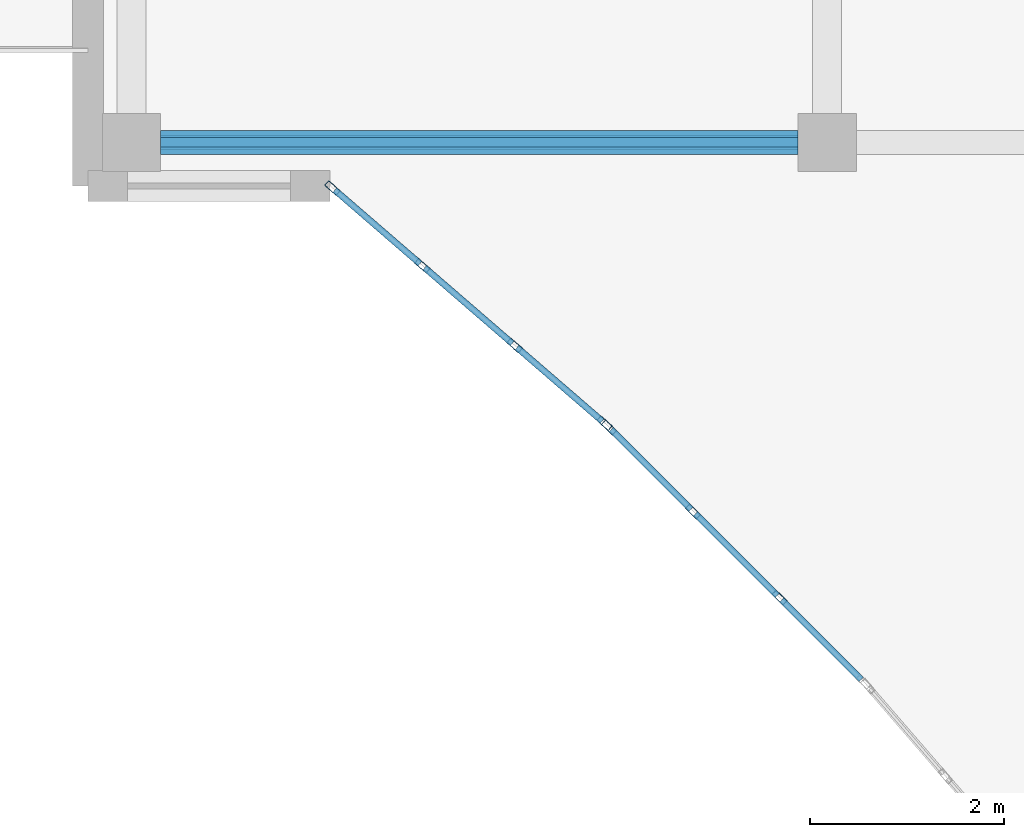
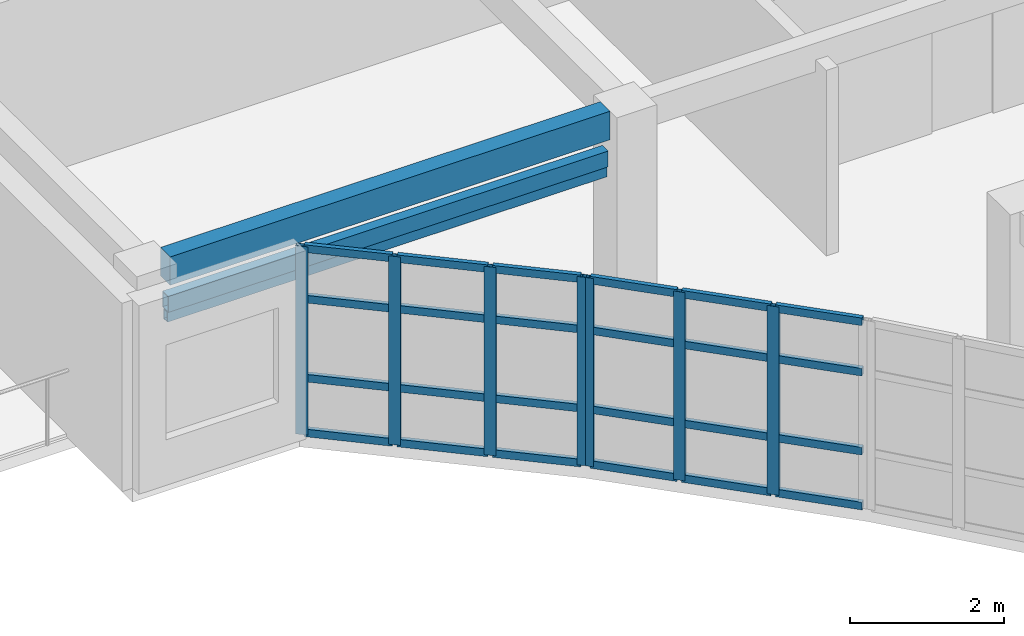
# One storey, part 9 of 71: 33 members, 1 beam, 2 elements without a shape of their own.
"""IFC4 building model written with IfcOpenShell, lengths in metres."""

from ifc_helpers import new_model, si_unit, direction, frame, origin, origin_2d, place, context, subcontext, project, spatial, rectangle, hollow_rectangle, extrude, material, layer, layer_set, material_profile, profile_set, type_object, element, aggregate, save


model = new_model("IFC4")

# Units and contexts
model_context = context("Model", 3, precision=1e-05, world=origin(), true_north=direction((0.0, 1.0)))
body_context = subcontext(model_context, "Body", "Model", "MODEL_VIEW")
ifc_project = project(units=[si_unit("LENGTHUNIT", "METRE"), si_unit("AREAUNIT", "SQUARE_METRE"), si_unit("VOLUMEUNIT", "CUBIC_METRE"), si_unit("PLANEANGLEUNIT", "RADIAN"), si_unit("MASSUNIT", "GRAM", prefix="KILO")], contexts=[model_context])

# Site, building, storey
site_placement = place(None, origin())
site = spatial("IfcSite", under=ifc_project, at=site_placement, CompositionType="ELEMENT")
building_placement = place(site_placement, origin())
building = spatial("IfcBuilding", under=site, at=building_placement, Name="Keldmere Railside Commons", CompositionType="ELEMENT")
storey_placement = place(building_placement, frame((0.0, 0.0, 20.159912109375)))
storey = spatial("IfcBuildingStorey", under=building, at=storey_placement, Name="L06", CompositionType="ELEMENT", Elevation=20.159912109375)

# Member
ifc_material_1 = material(Name="Steel F-36 (S355)", Category="steel")
ifc_material_profile_1 = material_profile(ifc_material_1, hollow_rectangle(XDim=0.14990234375, YDim=0.25, WallThickness=0.010009765625, at=origin_2d()), Name="RHS-250x150x10")
ifc_profile_set_1 = profile_set([ifc_material_profile_1], Name="Steel F-36 (S355)")
member_type_1 = type_object("IfcMemberType", Name="Balcony Continuous Planted Trough RHS250x150", PredefinedType="CHORD", material=ifc_profile_set_1)
member_1_placement = place(storey_placement, frame((94.25, 100.449951171875, 2.4150390625), z_axis=(1.0, 0.0, 0.0), x_axis=(0.0, 1.0, 0.0)))
element("IfcMember", 1, at=member_1_placement, inside=storey, type_object=member_type_1, Name="PLT-1 MEM-BPLT-0735", PredefinedType="CHORD", context=body_context, shape_type="SweptSolid", body=[
    extrude(hollow_rectangle(XDim=0.14990234375, YDim=0.25, WallThickness=0.010009765625, at=origin_2d()), origin(), (0.0, 0.0, 1.0), 6.5830078125),
])

# Beam
ifc_material_2 = material(Name="Architectural Precast Concrete H-35 (C35/45)", Category="concrete")
ifc_material_profile_2 = material_profile(ifc_material_2, rectangle(XDim=0.25, YDim=0.449951171875, at=origin_2d()), Name="RC-250x450")
ifc_profile_set_2 = profile_set([ifc_material_profile_2], Name="Architectural Precast Concrete H-35 (C35/45)")
beam_type = type_object("IfcBeamType", Name="Perimeter Precast Spandrel Beam 250x450", PredefinedType="SPANDREL", material=ifc_profile_set_2)
beam_placement = place(storey_placement, frame((94.25, 100.449951171875, 2.97509765625), z_axis=(1.0, 0.0, 0.0), x_axis=(0.0, 1.0, 0.0)))
element("IfcBeam", 2, at=beam_placement, inside=storey, type_object=beam_type, Name="SPB-1 BM-L06-1901", PredefinedType="SPANDREL", context=body_context, shape_type="SweptSolid", body=[
    extrude(rectangle(XDim=0.25, YDim=0.449951171875, at=origin_2d()), origin(), (0.0, 0.0, 1.0), 6.5830078125),
])

# Member
ifc_material_profile_3 = material_profile(ifc_material_1, hollow_rectangle(XDim=0.10009765625, YDim=0.159912109375, WallThickness=0.008056640625, at=origin_2d()), Name="RHS-160x100x8")
ifc_profile_set_3 = profile_set([ifc_material_profile_3], Name="Steel F-36 (S355)")
member_type_2 = type_object("IfcMemberType", Name="Solar Brise-Soleil Louvre Fin RHS160x100", PredefinedType="STRUT", material=ifc_profile_set_3)
member_2_placement = place(storey_placement, frame((94.25, 100.449951171875, 2.2001953125), z_axis=(1.0, 0.0, 0.0), x_axis=(0.0, 1.0, 0.0)))
element("IfcMember", 3, at=member_2_placement, inside=storey, type_object=member_type_2, Name="BSF-1 MEM-BSF-0736", PredefinedType="STRUT", context=body_context, shape_type="SweptSolid", body=[
    extrude(hollow_rectangle(XDim=0.10009765625, YDim=0.159912109375, WallThickness=0.008056640625, at=origin_2d()), origin(), (0.0, 0.0, 1.0), 6.5830078125),
])

# Curtain wall, members
ifc_material_3 = material(Name="Thermally Broken Aluminium", Category="aluminium")
ifc_layer_1 = layer(ifc_material_3, 0.159912109375, Name="Court Chord Wintergarden CW 4800x2850")
ifc_layer_set_1 = layer_set([ifc_layer_1], Name="Thermally Broken Aluminium")
curtain_wall_type_1 = type_object("IfcCurtainWallType", Name="Court Chord Wintergarden CW 4800x2850", PredefinedType="NOTDEFINED", material=ifc_layer_set_1)
curtain_wall_1_placement = place(storey_placement, origin())
curtain_wall_1 = element("IfcCurtainWall", 4, at=curtain_wall_1_placement, inside=storey, type_object=curtain_wall_type_1, Name="CW-12 CW-L06-124", PredefinedType="NOTDEFINED")
ifc_material_profile_4 = material_profile(ifc_material_3, hollow_rectangle(XDim=0.06494140625, YDim=0.159912109375, WallThickness=0.00390625, at=origin_2d()), Name="ALU-MULL-65x160")
ifc_profile_set_4 = profile_set([ifc_material_profile_4], Name="Thermally Broken Aluminium")
member_type_3 = type_object("IfcMemberType", Name="Unitised Curtain Wall Mullion 65x160", PredefinedType="MULLION", material=ifc_profile_set_4)
member_3_placement = place(storey_placement, frame((98.83349609375, 97.55126953125, 0.0), z_axis=(0.0, 0.0, 1.0), x_axis=(-0.653881741053, -0.756596767584, 0.0)))
member_3 = element("IfcMember", 5, at=member_3_placement, type_object=member_type_3, Name="CW-12 mullion 1", PredefinedType="MULLION", context=body_context, shape_type="SweptSolid", body=[
    extrude(hollow_rectangle(XDim=0.06494140625, YDim=0.159912109375, WallThickness=0.00390625, at=origin_2d()), origin(), (0.0, 0.0, 1.0), 2.97998046875),
])
member_4_placement = place(storey_placement, frame((97.9052734375, 98.353271484375, 0.0), z_axis=(0.0, 0.0, 1.0), x_axis=(-0.653881741053, -0.756596767584, 0.0)))
member_4 = element("IfcMember", 6, at=member_4_placement, type_object=member_type_3, Name="CW-12 mullion 2", PredefinedType="MULLION", context=body_context, shape_type="SweptSolid", body=[
    extrude(hollow_rectangle(XDim=0.06494140625, YDim=0.159912109375, WallThickness=0.00390625, at=origin_2d()), origin(), (0.0, 0.0, 1.0), 2.97998046875),
])
member_5_placement = place(storey_placement, frame((96.95263671875, 99.1767578125, 0.0), z_axis=(0.0, 0.0, 1.0), x_axis=(-0.653881741053, -0.756596767584, 0.0)))
member_5 = element("IfcMember", 7, at=member_5_placement, type_object=member_type_3, Name="CW-12 mullion 3", PredefinedType="MULLION", context=body_context, shape_type="SweptSolid", body=[
    extrude(hollow_rectangle(XDim=0.06494140625, YDim=0.159912109375, WallThickness=0.00390625, at=origin_2d()), origin(), (0.0, 0.0, 1.0), 2.97998046875),
])
member_6_placement = place(storey_placement, frame((96.024658203125, 99.978759765625, 0.0), z_axis=(0.0, 0.0, 1.0), x_axis=(-0.653881741053, -0.756596767584, 0.0)))
member_6 = element("IfcMember", 8, at=member_6_placement, type_object=member_type_3, Name="CW-12 mullion 4", PredefinedType="MULLION", context=body_context, shape_type="SweptSolid", body=[
    extrude(hollow_rectangle(XDim=0.06494140625, YDim=0.159912109375, WallThickness=0.00390625, at=origin_2d()), origin(), (0.0, 0.0, 1.0), 2.97998046875),
])

ifc_layer_2 = layer(ifc_material_3, 0.159912109375, Name="Court Chord Wintergarden CW 5400x2850")
ifc_layer_set_2 = layer_set([ifc_layer_2], Name="Thermally Broken Aluminium")
curtain_wall_type_2 = type_object("IfcCurtainWallType", Name="Court Chord Wintergarden CW 5400x2850", PredefinedType="NOTDEFINED", material=ifc_layer_set_2)
curtain_wall_2_placement = place(storey_placement, origin())
curtain_wall_2 = element("IfcCurtainWall", 9, at=curtain_wall_2_placement, inside=storey, type_object=curtain_wall_type_2, Name="CW-13 CW-L06-125", PredefinedType="NOTDEFINED")
member_7_placement = place(storey_placement, frame((100.639404296875, 95.748779296875, 0.0), z_axis=(0.0, 0.0, 1.0), x_axis=(-0.707106781187, -0.707106781187, 0.0)))
member_7 = element("IfcMember", 10, at=member_7_placement, type_object=member_type_3, Name="CW-13 mullion 2", PredefinedType="MULLION", context=body_context, shape_type="SweptSolid", body=[
    extrude(hollow_rectangle(XDim=0.06494140625, YDim=0.159912109375, WallThickness=0.00390625, at=origin_2d()), origin(), (0.0, 0.0, 1.0), 2.97998046875),
])
member_8_placement = place(storey_placement, frame((99.748779296875, 96.639404296875, 0.0), z_axis=(0.0, 0.0, 1.0), x_axis=(-0.707106781187, -0.707106781187, 0.0)))
member_8 = element("IfcMember", 11, at=member_8_placement, type_object=member_type_3, Name="CW-13 mullion 3", PredefinedType="MULLION", context=body_context, shape_type="SweptSolid", body=[
    extrude(hollow_rectangle(XDim=0.06494140625, YDim=0.159912109375, WallThickness=0.00390625, at=origin_2d()), origin(), (0.0, 0.0, 1.0), 2.97998046875),
])
member_9_placement = place(storey_placement, frame((98.880859375, 97.507080078125, 0.0), z_axis=(0.0, 0.0, 1.0), x_axis=(-0.707106781187, -0.707106781187, 0.0)))
member_9 = element("IfcMember", 12, at=member_9_placement, type_object=member_type_3, Name="CW-13 mullion 4", PredefinedType="MULLION", context=body_context, shape_type="SweptSolid", body=[
    extrude(hollow_rectangle(XDim=0.06494140625, YDim=0.159912109375, WallThickness=0.00390625, at=origin_2d()), origin(), (0.0, 0.0, 1.0), 2.97998046875),
])

# Member
ifc_material_profile_5 = material_profile(ifc_material_3, hollow_rectangle(XDim=0.06494140625, YDim=0.1201171875, WallThickness=0.00390625, at=origin_2d()), Name="ALU-TRAN-65x120")
ifc_profile_set_5 = profile_set([ifc_material_profile_5], Name="Thermally Broken Aluminium")
member_type_4 = type_object("IfcMemberType", Name="Unitised Curtain Wall Transom 65x120", PredefinedType="USERDEFINED", material=ifc_profile_set_5)
member_10_placement = place(storey_placement, frame((98.808837890625, 97.572509765625, 0.032470703125), z_axis=(-0.756624489527, 0.653849663033, 0.0), x_axis=(-0.653849663033, -0.756624489527, 0.0)))
member_10 = element("IfcMember", 13, at=member_10_placement, type_object=member_type_4, Name="CW-12 transom 1.1", ObjectType="TRANSOM", PredefinedType="USERDEFINED", context=body_context, shape_type="SweptSolid", body=[
    extrude(hollow_rectangle(XDim=0.06494140625, YDim=0.1201171875, WallThickness=0.00390625, at=origin_2d()), origin(), (0.0, 0.0, 1.0), 1.16162109375),
])

member_11_placement = place(storey_placement, frame((98.808837890625, 97.572509765625, 0.900146484375), z_axis=(-0.756624489527, 0.653849663033, 0.0), x_axis=(-0.653849663033, -0.756624489527, 0.0)))
member_11 = element("IfcMember", 14, at=member_11_placement, type_object=member_type_4, Name="CW-12 transom 1.2", ObjectType="TRANSOM", PredefinedType="USERDEFINED", context=body_context, shape_type="SweptSolid", body=[
    extrude(hollow_rectangle(XDim=0.06494140625, YDim=0.1201171875, WallThickness=0.00390625, at=origin_2d()), origin(), (0.0, 0.0, 1.0), 1.16162109375),
])

member_12_placement = place(storey_placement, frame((98.808837890625, 97.572509765625, 2.150146484375), z_axis=(-0.756624489527, 0.653849663033, 0.0), x_axis=(-0.653849663033, -0.756624489527, 0.0)))
member_12 = element("IfcMember", 15, at=member_12_placement, type_object=member_type_4, Name="CW-12 transom 1.3", ObjectType="TRANSOM", PredefinedType="USERDEFINED", context=body_context, shape_type="SweptSolid", body=[
    extrude(hollow_rectangle(XDim=0.06494140625, YDim=0.1201171875, WallThickness=0.00390625, at=origin_2d()), origin(), (0.0, 0.0, 1.0), 1.16162109375),
])

member_13_placement = place(storey_placement, frame((98.808837890625, 97.572509765625, 2.947509765625), z_axis=(-0.756624489527, 0.653849663033, 0.0), x_axis=(-0.653849663033, -0.756624489527, 0.0)))
member_13 = element("IfcMember", 16, at=member_13_placement, type_object=member_type_4, Name="CW-12 transom 1.4", ObjectType="TRANSOM", PredefinedType="USERDEFINED", context=body_context, shape_type="SweptSolid", body=[
    extrude(hollow_rectangle(XDim=0.06494140625, YDim=0.1201171875, WallThickness=0.00390625, at=origin_2d()), origin(), (0.0, 0.0, 1.0), 1.16162109375),
])

member_14_placement = place(storey_placement, frame((97.880859375, 98.37451171875, 0.032470703125), z_axis=(-0.756551755881, 0.653933819796, 0.0), x_axis=(-0.653933819796, -0.756551755881, 0.0)))
member_14 = element("IfcMember", 17, at=member_14_placement, type_object=member_type_4, Name="CW-12 transom 2.1", ObjectType="TRANSOM", PredefinedType="USERDEFINED", context=body_context, shape_type="SweptSolid", body=[
    extrude(hollow_rectangle(XDim=0.06494140625, YDim=0.1201171875, WallThickness=0.00390625, at=origin_2d()), origin(), (0.0, 0.0, 1.0), 1.1943359375),
])

member_15_placement = place(storey_placement, frame((97.880859375, 98.37451171875, 0.900146484375), z_axis=(-0.756551755881, 0.653933819796, 0.0), x_axis=(-0.653933819796, -0.756551755881, 0.0)))
member_15 = element("IfcMember", 18, at=member_15_placement, type_object=member_type_4, Name="CW-12 transom 2.2", ObjectType="TRANSOM", PredefinedType="USERDEFINED", context=body_context, shape_type="SweptSolid", body=[
    extrude(hollow_rectangle(XDim=0.06494140625, YDim=0.1201171875, WallThickness=0.00390625, at=origin_2d()), origin(), (0.0, 0.0, 1.0), 1.1943359375),
])

member_16_placement = place(storey_placement, frame((97.880859375, 98.37451171875, 2.150146484375), z_axis=(-0.756551755881, 0.653933819796, 0.0), x_axis=(-0.653933819796, -0.756551755881, 0.0)))
member_16 = element("IfcMember", 19, at=member_16_placement, type_object=member_type_4, Name="CW-12 transom 2.3", ObjectType="TRANSOM", PredefinedType="USERDEFINED", context=body_context, shape_type="SweptSolid", body=[
    extrude(hollow_rectangle(XDim=0.06494140625, YDim=0.1201171875, WallThickness=0.00390625, at=origin_2d()), origin(), (0.0, 0.0, 1.0), 1.1943359375),
])

member_17_placement = place(storey_placement, frame((97.880859375, 98.37451171875, 2.947509765625), z_axis=(-0.756551755881, 0.653933819796, 0.0), x_axis=(-0.653933819796, -0.756551755881, 0.0)))
member_17 = element("IfcMember", 20, at=member_17_placement, type_object=member_type_4, Name="CW-12 transom 2.4", ObjectType="TRANSOM", PredefinedType="USERDEFINED", context=body_context, shape_type="SweptSolid", body=[
    extrude(hollow_rectangle(XDim=0.06494140625, YDim=0.1201171875, WallThickness=0.00390625, at=origin_2d()), origin(), (0.0, 0.0, 1.0), 1.1943359375),
])

member_18_placement = place(storey_placement, frame((96.927978515625, 99.197998046875, 0.032470703125), z_axis=(-0.756624489527, 0.653849663033, 0.0), x_axis=(-0.653849663033, -0.756624489527, 0.0)))
member_18 = element("IfcMember", 21, at=member_18_placement, type_object=member_type_4, Name="CW-12 transom 3.1", ObjectType="TRANSOM", PredefinedType="USERDEFINED", context=body_context, shape_type="SweptSolid", body=[
    extrude(hollow_rectangle(XDim=0.06494140625, YDim=0.1201171875, WallThickness=0.00390625, at=origin_2d()), origin(), (0.0, 0.0, 1.0), 1.16162109375),
])

member_19_placement = place(storey_placement, frame((96.927978515625, 99.197998046875, 0.900146484375), z_axis=(-0.756624489527, 0.653849663033, 0.0), x_axis=(-0.653849663033, -0.756624489527, 0.0)))
member_19 = element("IfcMember", 22, at=member_19_placement, type_object=member_type_4, Name="CW-12 transom 3.2", ObjectType="TRANSOM", PredefinedType="USERDEFINED", context=body_context, shape_type="SweptSolid", body=[
    extrude(hollow_rectangle(XDim=0.06494140625, YDim=0.1201171875, WallThickness=0.00390625, at=origin_2d()), origin(), (0.0, 0.0, 1.0), 1.16162109375),
])

member_20_placement = place(storey_placement, frame((96.927978515625, 99.197998046875, 2.150146484375), z_axis=(-0.756624489527, 0.653849663033, 0.0), x_axis=(-0.653849663033, -0.756624489527, 0.0)))
member_20 = element("IfcMember", 23, at=member_20_placement, type_object=member_type_4, Name="CW-12 transom 3.3", ObjectType="TRANSOM", PredefinedType="USERDEFINED", context=body_context, shape_type="SweptSolid", body=[
    extrude(hollow_rectangle(XDim=0.06494140625, YDim=0.1201171875, WallThickness=0.00390625, at=origin_2d()), origin(), (0.0, 0.0, 1.0), 1.16162109375),
])

member_21_placement = place(storey_placement, frame((96.927978515625, 99.197998046875, 2.947509765625), z_axis=(-0.756624489527, 0.653849663033, 0.0), x_axis=(-0.653849663033, -0.756624489527, 0.0)))
member_21 = element("IfcMember", 24, at=member_21_placement, type_object=member_type_4, Name="CW-12 transom 3.4", ObjectType="TRANSOM", PredefinedType="USERDEFINED", context=body_context, shape_type="SweptSolid", body=[
    extrude(hollow_rectangle(XDim=0.06494140625, YDim=0.1201171875, WallThickness=0.00390625, at=origin_2d()), origin(), (0.0, 0.0, 1.0), 1.16162109375),
])

aggregate(curtain_wall_1, [member_3, member_4, member_5, member_6, member_10, member_11, member_12, member_13, member_14, member_15, member_16, member_17, member_18, member_19, member_20, member_21])

member_22_placement = place(storey_placement, frame((101.484130859375, 94.904052734375, 0.032470703125), z_axis=(-0.707211825645, 0.707001721121, 0.0), x_axis=(-0.707001721121, -0.707211825645, 0.0)))
member_22 = element("IfcMember", 25, at=member_22_placement, type_object=member_type_4, Name="CW-13 transom 1.1", ObjectType="TRANSOM", PredefinedType="USERDEFINED", context=body_context, shape_type="SweptSolid", body=[
    extrude(hollow_rectangle(XDim=0.06494140625, YDim=0.1201171875, WallThickness=0.00390625, at=origin_2d()), origin(), (0.0, 0.0, 1.0), 1.162109375),
])

member_23_placement = place(storey_placement, frame((101.484130859375, 94.904052734375, 0.900146484375), z_axis=(-0.707211825645, 0.707001721121, 0.0), x_axis=(-0.707001721121, -0.707211825645, 0.0)))
member_23 = element("IfcMember", 26, at=member_23_placement, type_object=member_type_4, Name="CW-13 transom 1.2", ObjectType="TRANSOM", PredefinedType="USERDEFINED", context=body_context, shape_type="SweptSolid", body=[
    extrude(hollow_rectangle(XDim=0.06494140625, YDim=0.1201171875, WallThickness=0.00390625, at=origin_2d()), origin(), (0.0, 0.0, 1.0), 1.162109375),
])

member_24_placement = place(storey_placement, frame((101.484130859375, 94.904052734375, 2.150146484375), z_axis=(-0.707211825645, 0.707001721121, 0.0), x_axis=(-0.707001721121, -0.707211825645, 0.0)))
member_24 = element("IfcMember", 27, at=member_24_placement, type_object=member_type_4, Name="CW-13 transom 1.3", ObjectType="TRANSOM", PredefinedType="USERDEFINED", context=body_context, shape_type="SweptSolid", body=[
    extrude(hollow_rectangle(XDim=0.06494140625, YDim=0.1201171875, WallThickness=0.00390625, at=origin_2d()), origin(), (0.0, 0.0, 1.0), 1.162109375),
])

member_25_placement = place(storey_placement, frame((101.484130859375, 94.904052734375, 2.947509765625), z_axis=(-0.707211825645, 0.707001721121, 0.0), x_axis=(-0.707001721121, -0.707211825645, 0.0)))
member_25 = element("IfcMember", 28, at=member_25_placement, type_object=member_type_4, Name="CW-13 transom 1.4", ObjectType="TRANSOM", PredefinedType="USERDEFINED", context=body_context, shape_type="SweptSolid", body=[
    extrude(hollow_rectangle(XDim=0.06494140625, YDim=0.1201171875, WallThickness=0.00390625, at=origin_2d()), origin(), (0.0, 0.0, 1.0), 1.162109375),
])

member_26_placement = place(storey_placement, frame((100.616455078125, 95.771728515625, 0.032470703125), z_axis=(-0.707106781187, 0.707106781187, 0.0), x_axis=(-0.707106781187, -0.707106781187, 0.0)))
member_26 = element("IfcMember", 29, at=member_26_placement, type_object=member_type_4, Name="CW-13 transom 2.1", ObjectType="TRANSOM", PredefinedType="USERDEFINED", context=body_context, shape_type="SweptSolid", body=[
    extrude(hollow_rectangle(XDim=0.06494140625, YDim=0.1201171875, WallThickness=0.00390625, at=origin_2d()), origin(), (0.0, 0.0, 1.0), 1.194580078125),
])

member_27_placement = place(storey_placement, frame((100.616455078125, 95.771728515625, 0.900146484375), z_axis=(-0.707106781187, 0.707106781187, 0.0), x_axis=(-0.707106781187, -0.707106781187, 0.0)))
member_27 = element("IfcMember", 30, at=member_27_placement, type_object=member_type_4, Name="CW-13 transom 2.2", ObjectType="TRANSOM", PredefinedType="USERDEFINED", context=body_context, shape_type="SweptSolid", body=[
    extrude(hollow_rectangle(XDim=0.06494140625, YDim=0.1201171875, WallThickness=0.00390625, at=origin_2d()), origin(), (0.0, 0.0, 1.0), 1.194580078125),
])

member_28_placement = place(storey_placement, frame((100.616455078125, 95.771728515625, 2.150146484375), z_axis=(-0.707106781187, 0.707106781187, 0.0), x_axis=(-0.707106781187, -0.707106781187, 0.0)))
member_28 = element("IfcMember", 31, at=member_28_placement, type_object=member_type_4, Name="CW-13 transom 2.3", ObjectType="TRANSOM", PredefinedType="USERDEFINED", context=body_context, shape_type="SweptSolid", body=[
    extrude(hollow_rectangle(XDim=0.06494140625, YDim=0.1201171875, WallThickness=0.00390625, at=origin_2d()), origin(), (0.0, 0.0, 1.0), 1.194580078125),
])

member_29_placement = place(storey_placement, frame((100.616455078125, 95.771728515625, 2.947509765625), z_axis=(-0.707106781187, 0.707106781187, 0.0), x_axis=(-0.707106781187, -0.707106781187, 0.0)))
member_29 = element("IfcMember", 32, at=member_29_placement, type_object=member_type_4, Name="CW-13 transom 2.4", ObjectType="TRANSOM", PredefinedType="USERDEFINED", context=body_context, shape_type="SweptSolid", body=[
    extrude(hollow_rectangle(XDim=0.06494140625, YDim=0.1201171875, WallThickness=0.00390625, at=origin_2d()), origin(), (0.0, 0.0, 1.0), 1.194580078125),
])

member_30_placement = place(storey_placement, frame((99.7255859375, 96.662353515625, 0.032470703125), z_axis=(-0.707001721121, 0.707211825645, 0.0), x_axis=(-0.707211825645, -0.707001721121, 0.0)))
member_30 = element("IfcMember", 33, at=member_30_placement, type_object=member_type_4, Name="CW-13 transom 3.1", ObjectType="TRANSOM", PredefinedType="USERDEFINED", context=body_context, shape_type="SweptSolid", body=[
    extrude(hollow_rectangle(XDim=0.06494140625, YDim=0.1201171875, WallThickness=0.00390625, at=origin_2d()), origin(), (0.0, 0.0, 1.0), 1.162109375),
])

member_31_placement = place(storey_placement, frame((99.7255859375, 96.662353515625, 0.900146484375), z_axis=(-0.707001721121, 0.707211825645, 0.0), x_axis=(-0.707211825645, -0.707001721121, 0.0)))
member_31 = element("IfcMember", 34, at=member_31_placement, type_object=member_type_4, Name="CW-13 transom 3.2", ObjectType="TRANSOM", PredefinedType="USERDEFINED", context=body_context, shape_type="SweptSolid", body=[
    extrude(hollow_rectangle(XDim=0.06494140625, YDim=0.1201171875, WallThickness=0.00390625, at=origin_2d()), origin(), (0.0, 0.0, 1.0), 1.162109375),
])

member_32_placement = place(storey_placement, frame((99.7255859375, 96.662353515625, 2.150146484375), z_axis=(-0.707001721121, 0.707211825645, 0.0), x_axis=(-0.707211825645, -0.707001721121, 0.0)))
member_32 = element("IfcMember", 35, at=member_32_placement, type_object=member_type_4, Name="CW-13 transom 3.3", ObjectType="TRANSOM", PredefinedType="USERDEFINED", context=body_context, shape_type="SweptSolid", body=[
    extrude(hollow_rectangle(XDim=0.06494140625, YDim=0.1201171875, WallThickness=0.00390625, at=origin_2d()), origin(), (0.0, 0.0, 1.0), 1.162109375),
])

member_33_placement = place(storey_placement, frame((99.7255859375, 96.662353515625, 2.947509765625), z_axis=(-0.707001721121, 0.707211825645, 0.0), x_axis=(-0.707211825645, -0.707001721121, 0.0)))
member_33 = element("IfcMember", 36, at=member_33_placement, type_object=member_type_4, Name="CW-13 transom 3.4", ObjectType="TRANSOM", PredefinedType="USERDEFINED", context=body_context, shape_type="SweptSolid", body=[
    extrude(hollow_rectangle(XDim=0.06494140625, YDim=0.1201171875, WallThickness=0.00390625, at=origin_2d()), origin(), (0.0, 0.0, 1.0), 1.162109375),
])

aggregate(curtain_wall_2, [member_7, member_8, member_9, member_22, member_23, member_24, member_25, member_26, member_27, member_28, member_29, member_30, member_31, member_32, member_33])

save(model, "model.ifc")
